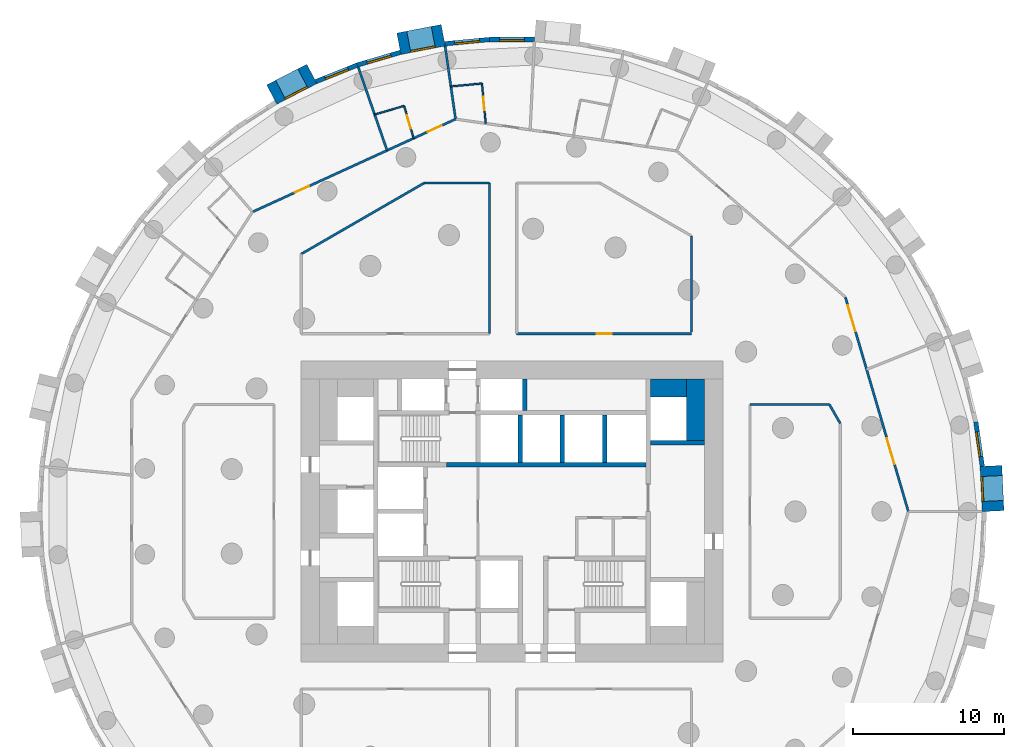
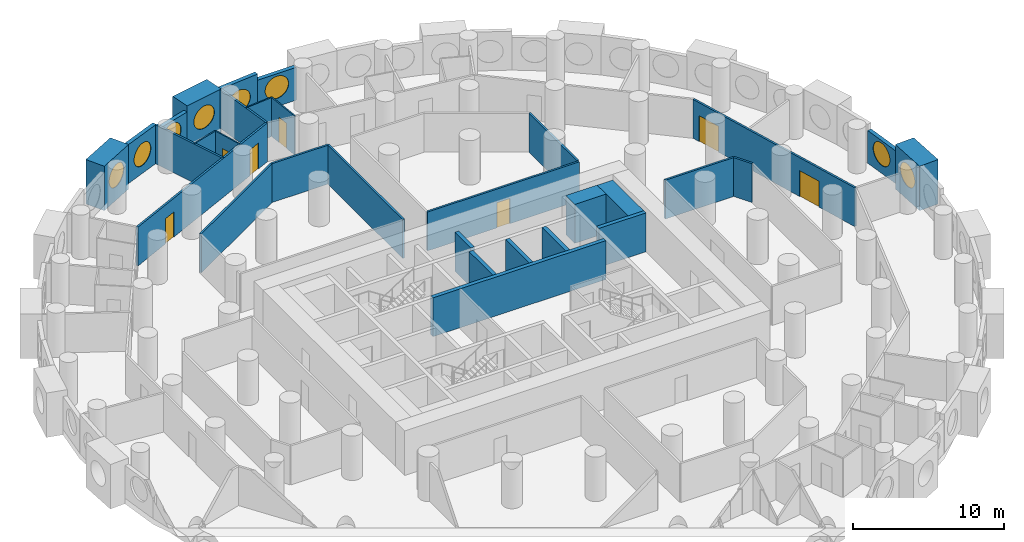
# One storey, part 8 of 11: 31 walls, 8 windows, 7 doors, 15 openings.
"""IFC4 building model written with IfcOpenShell, lengths in metres."""

from ifc_helpers import new_model, si_unit, direction, frame, frame_2d, origin, origin_2d, place, context, subcontext, project, spatial, rectangle, circle, extrude, material, layer, layer_set, type_object, element, fill, save


model = new_model("IFC4")

# Units and contexts
model_context = context("Model", 3, precision=1e-05, world=origin(), true_north=direction((0.0, 1.0)))
body_context = subcontext(model_context, "Body", "Model", "MODEL_VIEW")
ifc_project = project(units=[si_unit("LENGTHUNIT", "METRE"), si_unit("AREAUNIT", "SQUARE_METRE"), si_unit("VOLUMEUNIT", "CUBIC_METRE"), si_unit("PLANEANGLEUNIT", "RADIAN"), si_unit("MASSUNIT", "GRAM", prefix="KILO")], contexts=[model_context])

# Site, building, storey
site_placement = place(None, origin())
site = spatial("IfcSite", under=ifc_project, at=site_placement, CompositionType="ELEMENT")
building_placement = place(site_placement, origin())
building = spatial("IfcBuilding", under=site, at=building_placement, Name="Tracery Tower", CompositionType="ELEMENT")
storey_placement = place(building_placement, frame((0.0, 0.0, 96.60009765625)))
storey = spatial("IfcBuildingStorey", under=building, at=storey_placement, Name="L24", CompositionType="ELEMENT", Elevation=96.60009765625)

# Walls
ifc_material_1 = material(Name="Concrete C60/75", Category="concrete")
ifc_layer_1 = layer(ifc_material_1, 1.199951171875)
ifc_layer_set_1 = layer_set([ifc_layer_1], Name="Core strip wall 1200 C60")
wall_type_1 = type_object("IfcWallType", Name="Core strip wall 1200 C60", PredefinedType="SOLIDWALL", material=ifc_layer_set_1)
wall_1_placement = place(storey_placement, frame((12.199951171875, 4.699951171875, 0.0), z_axis=(0.0, 0.0, 1.0), x_axis=(0.0, 1.0, 0.0)))
element("IfcWall", 1, at=wall_1_placement, inside=storey, type_object=wall_type_1, Name="L24 wing strip +1 4.55", PredefinedType="SOLIDWALL", context=body_context, shape_type="SweptSolid", body=[
    extrude(rectangle(XDim=4.10009765625, YDim=1.199951171875, at=frame_2d((2.050048828125, 0.0))), origin(), (0.0, 0.0, 1.0), 3.14990234375),
])
wall_2_placement = place(storey_placement, frame((9.199951171875, 8.199951171875, 0.0), z_axis=(0.0, 0.0, 1.0), x_axis=(1.0, 0.0, 0.0)))
element("IfcWall", 2, at=wall_2_placement, inside=storey, type_object=wall_type_1, Name="L24 wing corner +1 +8.2", PredefinedType="SOLIDWALL", context=body_context, shape_type="SweptSolid", body=[
    extrude(rectangle(XDim=2.400146484375, YDim=1.199951171875, at=frame_2d((1.2001953125, 0.0))), origin(), (0.0, 0.0, 1.0), 3.14990234375),
])

# Wall, opening, window
ifc_material_2 = material(Name="Precast concrete C50/60", Category="concrete")
ifc_layer_2 = layer(ifc_material_2, 1.449951171875)
ifc_layer_set_2 = layer_set([ifc_layer_2], Name="Deep-set bay unit 3000 x 3600, slab edge 450")
wall_type_2 = type_object("IfcWallType", Name="Deep-set bay unit 3000 x 3600, slab edge 450", PredefinedType="ELEMENTEDWALL", material=ifc_layer_set_2)
wall_3_placement = place(storey_placement, frame((31.94921875, 0.020263671875, -0.4501953125), z_axis=(0.0, 0.0, 1.0), x_axis=(-0.047607680889, 0.998866111509, 0.0)))
wall_3 = element("IfcWall", 3, at=wall_3_placement, inside=storey, type_object=wall_type_2, Name="Deep-set bay unit 1 at L24", PredefinedType="ELEMENTEDWALL", context=body_context, shape_type="SweptSolid", body=[
    extrude(rectangle(XDim=3.0, YDim=1.449951171875, at=frame_2d((1.5, 0.0))), origin(), (0.0, 0.0, 1.0), 3.60009765625),
])
opening_1_placement = place(wall_3_placement, frame((1.5, 0.0, 2.0)))
opening_1 = element("IfcOpeningElement", 4, at=opening_1_placement, cuts=wall_3, Name="Opening WN1", PredefinedType="OPENING", context=body_context, shape_type="SweptSolid", body=[
    extrude(circle(Radius=0.9000244140625, at=origin_2d()), frame((0.0, 0.73486328125, 0.0), z_axis=(0.0, -1.0, 0.0), x_axis=(1.0, 0.0, 0.0)), (0.0, 0.0, 1.0), 1.469970703125),
])
ifc_material_3 = material(Name="Aluminium frame with tinted double glazing", Category="aluminium")
window_type = type_object("IfcWindowType", Name="Round window 1800", PartitioningType="SINGLE_PANEL", PredefinedType="WINDOW", material=ifc_material_3)
window_1_placement = place(opening_1_placement, origin())
window_1 = element("IfcWindow", 5, at=window_1_placement, inside=storey, type_object=window_type, Name="Round window 1 at L24", OverallHeight=1.800048828125, OverallWidth=1.800048828125, PartitioningType="SINGLE_PANEL", PredefinedType="WINDOW", context=body_context, shape_type="SweptSolid", body=[
    extrude(circle(Radius=0.9000244140625, at=origin_2d()), frame((0.0, 0.69482421875, 0.0), z_axis=(0.0, -1.0, 0.0), x_axis=(1.0, 0.0, 0.0)), (0.0, 0.0, 1.0), 0.10009765625),
])
fill(opening_1, window_1)

wall_4_placement = place(storey_placement, frame((-4.56689453125, 31.62109375, -0.4501953125), z_axis=(0.0, 0.0, 1.0), x_axis=(-0.981921602273, -0.189288052949, 0.0)))
wall_4 = element("IfcWall", 6, at=wall_4_placement, inside=storey, type_object=wall_type_2, Name="Deep-set bay unit 19 at L24", PredefinedType="ELEMENTEDWALL", context=body_context, shape_type="SweptSolid", body=[
    extrude(rectangle(XDim=3.0, YDim=1.449951171875, at=frame_2d((1.5, 0.0))), origin(), (0.0, 0.0, 1.0), 3.60009765625),
])
opening_2_placement = place(wall_4_placement, frame((1.5, 0.0, 2.0)))
opening_2 = element("IfcOpeningElement", 7, at=opening_2_placement, cuts=wall_4, Name="Opening WN1", PredefinedType="OPENING", context=body_context, shape_type="SweptSolid", body=[
    extrude(circle(Radius=0.9000244140625, at=origin_2d()), frame((0.0, 0.73486328125, 0.0), z_axis=(0.0, -1.0, 0.0), x_axis=(1.0, 0.0, 0.0)), (0.0, 0.0, 1.0), 1.469970703125),
])
window_2_placement = place(opening_2_placement, origin())
window_2 = element("IfcWindow", 8, at=window_2_placement, inside=storey, type_object=window_type, Name="Round window 19 at L24", OverallHeight=1.800048828125, OverallWidth=1.800048828125, PartitioningType="SINGLE_PANEL", PredefinedType="WINDOW", context=body_context, shape_type="SweptSolid", body=[
    extrude(circle(Radius=0.9000244140625, at=origin_2d()), frame((0.0, 0.69482421875, 0.0), z_axis=(0.0, -1.0, 0.0), x_axis=(1.0, 0.0, 0.0)), (0.0, 0.0, 1.0), 0.10009765625),
])
fill(opening_2, window_2)

wall_5_placement = place(storey_placement, frame((-13.29052734375, 29.053466796875, -0.4501953125), z_axis=(0.0, 0.0, 1.0), x_axis=(-0.888858064689, -0.458182650083, 0.0)))
wall_5 = element("IfcWall", 9, at=wall_5_placement, inside=storey, type_object=wall_type_2, Name="Deep-set bay unit 22 at L24", PredefinedType="ELEMENTEDWALL", context=body_context, shape_type="SweptSolid", body=[
    extrude(rectangle(XDim=3.0, YDim=1.449951171875, at=frame_2d((1.5, 0.0))), origin(), (0.0, 0.0, 1.0), 3.60009765625),
])
opening_3_placement = place(wall_5_placement, frame((1.5, 0.0, 2.0)))
opening_3 = element("IfcOpeningElement", 10, at=opening_3_placement, cuts=wall_5, Name="Opening WN1", PredefinedType="OPENING", context=body_context, shape_type="SweptSolid", body=[
    extrude(circle(Radius=0.9000244140625, at=origin_2d()), frame((0.0, 0.73486328125, 0.0), z_axis=(0.0, -1.0, 0.0), x_axis=(1.0, 0.0, 0.0)), (0.0, 0.0, 1.0), 1.469970703125),
])
window_3_placement = place(opening_3_placement, origin())
window_3 = element("IfcWindow", 11, at=window_3_placement, inside=storey, type_object=window_type, Name="Round window 22 at L24", OverallHeight=1.800048828125, OverallWidth=1.800048828125, PartitioningType="SINGLE_PANEL", PredefinedType="WINDOW", context=body_context, shape_type="SweptSolid", body=[
    extrude(circle(Radius=0.9000244140625, at=origin_2d()), frame((0.0, 0.69482421875, 0.0), z_axis=(0.0, -1.0, 0.0), x_axis=(1.0, 0.0, 0.0)), (0.0, 0.0, 1.0), 0.10009765625),
])
fill(opening_3, window_3)

ifc_material_4 = material(Name="Precast concrete C50/60", Category="concrete")
ifc_layer_3 = layer(ifc_material_4, 0.300048828125)
ifc_layer_set_3 = layer_set([ifc_layer_3], Name="Facade panel 3000 x 2650")
wall_type_3 = type_object("IfcWallType", Name="Facade panel 3000 x 2650", PredefinedType="SOLIDWALL", material=ifc_layer_set_3)
wall_6_placement = place(storey_placement, frame((31.2314453125, 2.98828125, 0.0), z_axis=(0.0, 0.0, 1.0), x_axis=(-0.142315996627, 0.989821275334, 0.0)))
wall_6 = element("IfcWall", 12, at=wall_6_placement, inside=storey, type_object=wall_type_3, Name="Facade panel 2 at L24", PredefinedType="SOLIDWALL", context=body_context, shape_type="SweptSolid", body=[
    extrude(rectangle(XDim=2.979736328125, YDim=0.300048828125, at=frame_2d((1.48974609375, 0.0))), origin(), (0.0, 0.0, 1.0), 2.64990234375),
])
opening_4_placement = place(wall_6_placement, frame((1.48974609375, 0.0, 1.5498046875)))
opening_4 = element("IfcOpeningElement", 13, at=opening_4_placement, cuts=wall_6, Name="Opening WN1", PredefinedType="OPENING", context=body_context, shape_type="SweptSolid", body=[
    extrude(circle(Radius=0.9000244140625, at=origin_2d()), frame((0.0, 0.159912109375, 0.0), z_axis=(0.0, -1.0, 0.0), x_axis=(1.0, 0.0, 0.0)), (0.0, 0.0, 1.0), 0.320068359375),
])
window_4_placement = place(opening_4_placement, origin())
window_4 = element("IfcWindow", 14, at=window_4_placement, inside=storey, type_object=window_type, Name="Round window 2 at L24", OverallHeight=1.800048828125, OverallWidth=1.800048828125, PartitioningType="SINGLE_PANEL", PredefinedType="WINDOW", context=body_context, shape_type="SweptSolid", body=[
    extrude(circle(Radius=0.9000244140625, at=origin_2d()), frame((0.0, 0.1201171875, 0.0), z_axis=(0.0, -1.0, 0.0), x_axis=(1.0, 0.0, 0.0)), (0.0, 0.0, 1.0), 0.10009765625),
])
fill(opening_4, window_4)

wall_7_placement = place(storey_placement, frame((1.48681640625, 31.3388671875, 0.0), z_axis=(0.0, 0.0, 1.0), x_axis=(-1.0, 0.0, 0.0)))
wall_7 = element("IfcWall", 15, at=wall_7_placement, inside=storey, type_object=wall_type_3, Name="Facade panel 17 at L24", PredefinedType="SOLIDWALL", context=body_context, shape_type="SweptSolid", body=[
    extrude(rectangle(XDim=2.979736328125, YDim=0.300048828125, at=frame_2d((1.48974609375, 0.0))), origin(), (0.0, 0.0, 1.0), 2.64990234375),
])
opening_5_placement = place(wall_7_placement, frame((1.48974609375, 0.0, 1.5498046875)))
opening_5 = element("IfcOpeningElement", 16, at=opening_5_placement, cuts=wall_7, Name="Opening WN1", PredefinedType="OPENING", context=body_context, shape_type="SweptSolid", body=[
    extrude(circle(Radius=0.9000244140625, at=origin_2d()), frame((0.0, 0.159912109375, 0.0), z_axis=(0.0, -1.0, 0.0), x_axis=(1.0, 0.0, 0.0)), (0.0, 0.0, 1.0), 0.320068359375),
])
window_5_placement = place(opening_5_placement, origin())
window_5 = element("IfcWindow", 17, at=window_5_placement, inside=storey, type_object=window_type, Name="Round window 17 at L24", OverallHeight=1.800048828125, OverallWidth=1.800048828125, PartitioningType="SINGLE_PANEL", PredefinedType="WINDOW", context=body_context, shape_type="SweptSolid", body=[
    extrude(circle(Radius=0.9000244140625, at=origin_2d()), frame((0.0, 0.1201171875, 0.0), z_axis=(0.0, -1.0, 0.0), x_axis=(1.0, 0.0, 0.0)), (0.0, 0.0, 1.0), 0.10009765625),
])
fill(opening_5, window_5)

wall_8_placement = place(storey_placement, frame((-7.402587890625, 30.48828125, 0.0), z_axis=(0.0, 0.0, 1.0), x_axis=(-0.959501085144, -0.281704930036, 0.0)))
wall_8 = element("IfcWall", 18, at=wall_8_placement, inside=storey, type_object=wall_type_3, Name="Facade panel 20 at L24", PredefinedType="SOLIDWALL", context=body_context, shape_type="SweptSolid", body=[
    extrude(rectangle(XDim=2.9794921875, YDim=0.300048828125, at=frame_2d((1.48974609375, 0.0))), origin(), (0.0, 0.0, 1.0), 2.64990234375),
])
opening_6_placement = place(wall_8_placement, frame((1.48974609375, 0.0, 1.5498046875)))
opening_6 = element("IfcOpeningElement", 19, at=opening_6_placement, cuts=wall_8, Name="Opening WN1", PredefinedType="OPENING", context=body_context, shape_type="SweptSolid", body=[
    extrude(circle(Radius=0.9000244140625, at=origin_2d()), frame((0.0, 0.159912109375, 0.0), z_axis=(0.0, -1.0, 0.0), x_axis=(1.0, 0.0, 0.0)), (0.0, 0.0, 1.0), 0.320068359375),
])
window_6_placement = place(opening_6_placement, origin())
window_6 = element("IfcWindow", 20, at=window_6_placement, inside=storey, type_object=window_type, Name="Round window 20 at L24", OverallHeight=1.800048828125, OverallWidth=1.800048828125, PartitioningType="SINGLE_PANEL", PredefinedType="WINDOW", context=body_context, shape_type="SweptSolid", body=[
    extrude(circle(Radius=0.9000244140625, at=origin_2d()), frame((0.0, 0.1201171875, 0.0), z_axis=(0.0, -1.0, 0.0), x_axis=(1.0, 0.0, 0.0)), (0.0, 0.0, 1.0), 0.10009765625),
])
fill(opening_6, window_6)

ifc_material_5 = material(Name="Precast concrete C50/60", Category="concrete")
ifc_layer_4 = layer(ifc_material_5, 0.300048828125)
ifc_layer_set_4 = layer_set([ifc_layer_4], Name="Facade panel 3000 x 3150")
wall_type_4 = type_object("IfcWallType", Name="Facade panel 3000 x 3150", PredefinedType="SOLIDWALL", material=ifc_layer_set_4)
wall_9_placement = place(storey_placement, frame((-1.492919921875, 31.3388671875, 0.0), z_axis=(0.0, 0.0, 1.0), x_axis=(-0.995472611385, -0.095048829468, 0.0)))
wall_9 = element("IfcWall", 21, at=wall_9_placement, inside=storey, type_object=wall_type_4, Name="Facade panel 18 at L24", PredefinedType="SOLIDWALL", context=body_context, shape_type="SweptSolid", body=[
    extrude(rectangle(XDim=2.9794921875, YDim=0.300048828125, at=frame_2d((1.48974609375, 0.0))), origin(), (0.0, 0.0, 1.0), 3.14990234375),
])
opening_7_placement = place(wall_9_placement, frame((1.48974609375, 0.0, 1.5498046875)))
opening_7 = element("IfcOpeningElement", 22, at=opening_7_placement, cuts=wall_9, Name="Opening WN1", PredefinedType="OPENING", context=body_context, shape_type="SweptSolid", body=[
    extrude(circle(Radius=0.9000244140625, at=origin_2d()), frame((0.0, 0.159912109375, 0.0), z_axis=(0.0, -1.0, 0.0), x_axis=(1.0, 0.0, 0.0)), (0.0, 0.0, 1.0), 0.320068359375),
])
window_7_placement = place(opening_7_placement, origin())
window_7 = element("IfcWindow", 23, at=window_7_placement, inside=storey, type_object=window_type, Name="Round window 18 at L24", OverallHeight=1.800048828125, OverallWidth=1.800048828125, PartitioningType="SINGLE_PANEL", PredefinedType="WINDOW", context=body_context, shape_type="SweptSolid", body=[
    extrude(circle(Radius=0.9000244140625, at=origin_2d()), frame((0.0, 0.1201171875, 0.0), z_axis=(0.0, -1.0, 0.0), x_axis=(1.0, 0.0, 0.0)), (0.0, 0.0, 1.0), 0.10009765625),
])
fill(opening_7, window_7)

wall_10_placement = place(storey_placement, frame((-10.261474609375, 29.64892578125, 0.0), z_axis=(0.0, 0.0, 1.0), x_axis=(-0.928374947, -0.371644935098, 0.0)))
wall_10 = element("IfcWall", 24, at=wall_10_placement, inside=storey, type_object=wall_type_4, Name="Facade panel 21 at L24", PredefinedType="SOLIDWALL", context=body_context, shape_type="SweptSolid", body=[
    extrude(rectangle(XDim=2.979736328125, YDim=0.300048828125, at=frame_2d((1.48974609375, 0.0))), origin(), (0.0, 0.0, 1.0), 3.14990234375),
])
opening_8_placement = place(wall_10_placement, frame((1.48974609375, 0.0, 1.5498046875)))
opening_8 = element("IfcOpeningElement", 25, at=opening_8_placement, cuts=wall_10, Name="Opening WN1", PredefinedType="OPENING", context=body_context, shape_type="SweptSolid", body=[
    extrude(circle(Radius=0.9000244140625, at=origin_2d()), frame((0.0, 0.159912109375, 0.0), z_axis=(0.0, -1.0, 0.0), x_axis=(1.0, 0.0, 0.0)), (0.0, 0.0, 1.0), 0.320068359375),
])
window_8_placement = place(opening_8_placement, origin())
window_8 = element("IfcWindow", 26, at=window_8_placement, inside=storey, type_object=window_type, Name="Round window 21 at L24", OverallHeight=1.800048828125, OverallWidth=1.800048828125, PartitioningType="SINGLE_PANEL", PredefinedType="WINDOW", context=body_context, shape_type="SweptSolid", body=[
    extrude(circle(Radius=0.9000244140625, at=origin_2d()), frame((0.0, 0.1201171875, 0.0), z_axis=(0.0, -1.0, 0.0), x_axis=(1.0, 0.0, 0.0)), (0.0, 0.0, 1.0), 0.10009765625),
])
fill(opening_8, window_8)

# Wall, opening, door
ifc_material_6 = material(Name="Plasterboard on steel studs", Category="steel")
ifc_layer_5 = layer(ifc_material_6, 0.10009765625)
ifc_layer_set_5 = layer_set([ifc_layer_5], Name="Partition 100 wet wall")
wall_type_5 = type_object("IfcWallType", Name="Partition 100 wet wall", PredefinedType="PARTITIONING", material=ifc_layer_set_5)
wall_11_placement = place(storey_placement, frame((-1.99609375, 28.41796875, 0.0), z_axis=(0.0, 0.0, 1.0), x_axis=(0.094925726797, -0.995484357683, 0.0)))
wall_11 = element("IfcWall", 27, at=wall_11_placement, inside=storey, type_object=wall_type_5, Name="Wet wall RA7-056", PredefinedType="PARTITIONING", context=body_context, shape_type="SweptSolid", body=[
    extrude(rectangle(XDim=2.6669921875, YDim=0.10009765625, at=frame_2d((1.33349609375, 0.0))), origin(), (0.0, 0.0, 1.0), 3.14990234375),
])
opening_9_placement = place(wall_11_placement, frame((0.883056640625, 0.0, 0.0)))
opening_9 = element("IfcOpeningElement", 28, at=opening_9_placement, cuts=wall_11, Name="Opening RA7-14", PredefinedType="OPENING", context=body_context, shape_type="SweptSolid", body=[
    extrude(rectangle(XDim=0.89990234375, YDim=2.0400390625, at=frame_2d((0.449951171875, 1.02001953125))), frame((0.0, 0.050048828125, 0.0), z_axis=(0.0, -1.0, 0.0), x_axis=(1.0, 0.0, 0.0)), (0.0, 0.0, 1.0), 0.10009765625),
])
ifc_material_7 = material(Name="Timber door leaf", Category="wood")
door_type_1 = type_object("IfcDoorType", Name="Door en-suite 900", OperationType="NOTDEFINED", PredefinedType="DOOR", material=ifc_material_7)
door_1_placement = place(opening_9_placement, origin())
door_1 = element("IfcDoor", 29, at=door_1_placement, inside=storey, type_object=door_type_1, Name="En-suite door RA7-14", OperationType="SINGLE_SWING_RIGHT", OverallHeight=2.0400390625, OverallWidth=0.89990234375, PredefinedType="DOOR", context=body_context, shape_type="SweptSolid", body=[
    extrude(rectangle(XDim=0.89990234375, YDim=2.0400390625, at=frame_2d((0.449951171875, 1.02001953125))), frame((0.0, 0.02490234375, 0.0), z_axis=(0.0, -1.0, 0.0), x_axis=(1.0, 0.0, 0.0)), (0.0, 0.0, 1.0), 0.050048828125),
])
fill(opening_9, door_1)

# Wall
wall_12_placement = place(storey_placement, frame((-4.05810546875, 28.220947265625, 0.0), z_axis=(0.0, 0.0, 1.0), x_axis=(0.995466291052, 0.095115000814, 0.0)))
element("IfcWall", 30, at=wall_12_placement, inside=storey, type_object=wall_type_5, Name="Wet wall RA7-057", PredefinedType="PARTITIONING", context=body_context, shape_type="SweptSolid", body=[
    extrude(rectangle(XDim=2.0712890625, YDim=0.10009765625, at=frame_2d((1.03564453125, 0.0))), origin(), (0.0, 0.0, 1.0), 3.14990234375),
])

# Wall, opening, door
wall_13_placement = place(storey_placement, frame((-7.1630859375, 26.929931640625, 0.0), z_axis=(0.0, 0.0, 1.0), x_axis=(0.281948165188, -0.959429638977, 0.0)))
wall_13 = element("IfcWall", 31, at=wall_13_placement, inside=storey, type_object=wall_type_5, Name="Wet wall RA7-059", PredefinedType="PARTITIONING", context=body_context, shape_type="SweptSolid", body=[
    extrude(rectangle(XDim=2.241943359375, YDim=0.10009765625, at=frame_2d((1.12109375, 0.0))), origin(), (0.0, 0.0, 1.0), 3.14990234375),
])
opening_10_placement = place(wall_13_placement, frame((0.6708984375, 0.0, 0.0)))
opening_10 = element("IfcOpeningElement", 32, at=opening_10_placement, cuts=wall_13, Name="Opening RA7-16", PredefinedType="OPENING", context=body_context, shape_type="SweptSolid", body=[
    extrude(rectangle(XDim=0.89990234375, YDim=2.0400390625, at=frame_2d((0.449951171875, 1.02001953125))), frame((0.0, 0.050048828125, 0.0), z_axis=(0.0, -1.0, 0.0), x_axis=(1.0, 0.0, 0.0)), (0.0, 0.0, 1.0), 0.10009765625),
])
door_2_placement = place(opening_10_placement, origin())
door_2 = element("IfcDoor", 33, at=door_2_placement, inside=storey, type_object=door_type_1, Name="En-suite door RA7-16", OperationType="SINGLE_SWING_RIGHT", OverallHeight=2.0400390625, OverallWidth=0.89990234375, PredefinedType="DOOR", context=body_context, shape_type="SweptSolid", body=[
    extrude(rectangle(XDim=0.89990234375, YDim=2.0400390625, at=frame_2d((0.449951171875, 1.02001953125))), frame((0.0, 0.02490234375, 0.0), z_axis=(0.0, -1.0, 0.0), x_axis=(1.0, 0.0, 0.0)), (0.0, 0.0, 1.0), 0.050048828125),
])
fill(opening_10, door_2)

# Walls
wall_14_placement = place(storey_placement, frame((-9.12109375, 26.35498046875, 0.0), z_axis=(0.0, 0.0, 1.0), x_axis=(0.95948923736, 0.281745281045, 0.0)))
element("IfcWall", 34, at=wall_14_placement, inside=storey, type_object=wall_type_5, Name="Wet wall RA7-060", PredefinedType="PARTITIONING", context=body_context, shape_type="SweptSolid", body=[
    extrude(rectangle(XDim=2.040771484375, YDim=0.10009765625, at=frame_2d((1.0205078125, 0.0))), origin(), (0.0, 0.0, 1.0), 3.14990234375),
])
ifc_material_8 = material(Name="Plasterboard on steel studs", Category="steel")
ifc_layer_6 = layer(ifc_material_8, 0.14990234375)
ifc_layer_set_6 = layer_set([ifc_layer_6], Name="Partition 150 acoustic unit wall")
wall_type_6 = type_object("IfcWallType", Name="Partition 150 acoustic unit wall", PredefinedType="PARTITIONING", material=ifc_layer_set_6)
wall_15_placement = place(storey_placement, frame((-4.444091796875, 30.906005859375, 0.0), z_axis=(0.0, 0.0, 1.0), x_axis=(0.142306296561, -0.989822669956, 0.0)))
element("IfcWall", 35, at=wall_15_placement, inside=storey, type_object=wall_type_6, Name="Unit wall RA7-058", PredefinedType="PARTITIONING", context=body_context, shape_type="SweptSolid", body=[
    extrude(rectangle(XDim=4.90478515625, YDim=0.14990234375, at=frame_2d((2.452392578125, 0.0))), origin(), (0.0, 0.0, 1.0), 3.14990234375),
])
wall_16_placement = place(storey_placement, frame((-10.2119140625, 29.507080078125, 0.0), z_axis=(0.0, 0.0, 1.0), x_axis=(0.327061884856, -0.945002922469, 0.0)))
element("IfcWall", 36, at=wall_16_placement, inside=storey, type_object=wall_type_6, Name="Unit wall RA7-061", PredefinedType="PARTITIONING", context=body_context, shape_type="SweptSolid", body=[
    extrude(rectangle(XDim=5.856689453125, YDim=0.14990234375, at=frame_2d((2.92822265625, 0.0))), origin(), (0.0, 0.0, 1.0), 3.14990234375),
])

# Wall, opening, door
ifc_material_9 = material(Name="Plasterboard on steel studs", Category="steel")
ifc_layer_7 = layer(ifc_material_9, 0.14990234375)
ifc_layer_set_7 = layer_set([ifc_layer_7], Name="Partition 150 corridor wall")
wall_type_7 = type_object("IfcWallType", Name="Partition 150 corridor wall", PredefinedType="PARTITIONING", material=ifc_layer_set_7)
wall_17_placement = place(storey_placement, frame((0.305908203125, 11.800048828125, 0.0), z_axis=(0.0, 0.0, 1.0), x_axis=(1.0, 0.0, 0.0)))
wall_17 = element("IfcWall", 37, at=wall_17_placement, inside=storey, type_object=wall_type_7, Name="Corridor wall RA7-002", PredefinedType="PARTITIONING", context=body_context, shape_type="SweptSolid", body=[
    extrude(rectangle(XDim=11.6181640625, YDim=0.14990234375, at=frame_2d((5.80908203125, 0.0))), origin(), (0.0, 0.0, 1.0), 3.14990234375),
])
opening_11_placement = place(wall_17_placement, frame((5.30908203125, 0.0, 0.0)))
opening_11 = element("IfcOpeningElement", 38, at=opening_11_placement, cuts=wall_17, Name="Opening RA7-02", PredefinedType="OPENING", context=body_context, shape_type="SweptSolid", body=[
    extrude(rectangle(XDim=1.0, YDim=2.0400390625, at=frame_2d((0.5, 1.02001953125))), frame((0.0, 0.074951171875, 0.0), z_axis=(0.0, -1.0, 0.0), x_axis=(1.0, 0.0, 0.0)), (0.0, 0.0, 1.0), 0.14990234375),
])
ifc_material_10 = material(Name="Timber door leaf", Category="wood")
door_type_2 = type_object("IfcDoorType", Name="Door communal room 1000", OperationType="NOTDEFINED", PredefinedType="DOOR", material=ifc_material_10)
door_3_placement = place(opening_11_placement, origin())
door_3 = element("IfcDoor", 39, at=door_3_placement, inside=storey, type_object=door_type_2, Name="Communal room door RA7-02", OperationType="SINGLE_SWING_RIGHT", OverallHeight=2.0400390625, OverallWidth=1.0, PredefinedType="DOOR", context=body_context, shape_type="SweptSolid", body=[
    extrude(rectangle(XDim=1.0, YDim=2.0400390625, at=frame_2d((0.5, 1.02001953125))), frame((0.0, 0.02490234375, 0.0), z_axis=(0.0, -1.0, 0.0), x_axis=(1.0, 0.0, 0.0)), (0.0, 0.0, 1.0), 0.050048828125),
])
fill(opening_11, door_3)

# Walls
wall_18_placement = place(storey_placement, frame((21.075927734375, 7.10009765625, 0.0), z_axis=(0.0, 0.0, 1.0), x_axis=(0.499863102386, -0.866104427234, 0.0)))
element("IfcWall", 40, at=wall_18_placement, inside=storey, type_object=wall_type_7, Name="Corridor wall RA7-010", PredefinedType="PARTITIONING", context=body_context, shape_type="SweptSolid", body=[
    extrude(rectangle(XDim=1.45263671875, YDim=0.14990234375, at=frame_2d((0.726318359375, 0.0))), origin(), (0.0, 0.0, 1.0), 3.14990234375),
])
wall_19_placement = place(storey_placement, frame((15.800048828125, 7.10009765625, 0.0), z_axis=(0.0, 0.0, 1.0), x_axis=(1.0, 0.0, 0.0)))
element("IfcWall", 41, at=wall_19_placement, inside=storey, type_object=wall_type_7, Name="Corridor wall RA7-011", PredefinedType="PARTITIONING", context=body_context, shape_type="SweptSolid", body=[
    extrude(rectangle(XDim=5.27587890625, YDim=0.14990234375, at=frame_2d((2.637939453125, 0.0))), origin(), (0.0, 0.0, 1.0), 3.14990234375),
])

# Wall, openings, doors
wall_20_placement = place(storey_placement, frame((22.140380859375, 14.228759765625, 0.0), z_axis=(0.0, 0.0, 1.0), x_axis=(0.281780364869, -0.959478934617, 0.0)))
wall_20 = element("IfcWall", 42, at=wall_20_placement, inside=storey, type_object=wall_type_7, Name="Corridor wall RA7-012", PredefinedType="PARTITIONING", context=body_context, shape_type="SweptSolid", body=[
    extrude(rectangle(XDim=14.82958984375, YDim=0.14990234375, at=frame_2d((7.414794921875, 0.0))), origin(), (0.0, 0.0, 1.0), 3.14990234375),
])
opening_12_placement = place(wall_20_placement, frame((9.764404296875, 0.0, 0.0)))
opening_12 = element("IfcOpeningElement", 43, at=opening_12_placement, cuts=wall_20, Name="Opening RA7-07", PredefinedType="OPENING", context=body_context, shape_type="SweptSolid", body=[
    extrude(rectangle(XDim=1.800048828125, YDim=2.10009765625, at=frame_2d((0.89990234375, 1.050048828125))), frame((0.0, 0.074951171875, 0.0), z_axis=(0.0, -1.0, 0.0), x_axis=(1.0, 0.0, 0.0)), (0.0, 0.0, 1.0), 0.14990234375),
])
opening_13_placement = place(wall_20_placement, frame((0.553955078125, 0.0, 0.0)))
opening_13 = element("IfcOpeningElement", 44, at=opening_13_placement, cuts=wall_20, Name="Opening RA7-08", PredefinedType="OPENING", context=body_context, shape_type="SweptSolid", body=[
    extrude(rectangle(XDim=1.800048828125, YDim=2.10009765625, at=frame_2d((0.89990234375, 1.050048828125))), frame((0.0, 0.074951171875, 0.0), z_axis=(0.0, -1.0, 0.0), x_axis=(1.0, 0.0, 0.0)), (0.0, 0.0, 1.0), 0.14990234375),
])
ifc_material_11 = material(Name="Timber door leaf", Category="wood")
door_type_3 = type_object("IfcDoorType", Name="Door double lounge 1800", OperationType="NOTDEFINED", PredefinedType="DOOR", material=ifc_material_11)
door_4_placement = place(opening_12_placement, origin())
door_4 = element("IfcDoor", 45, at=door_4_placement, inside=storey, type_object=door_type_3, Name="Double lounge door RA7-07", OperationType="DOUBLE_DOOR_SINGLE_SWING", OverallHeight=2.10009765625, OverallWidth=1.800048828125, PredefinedType="DOOR", context=body_context, shape_type="SweptSolid", body=[
    extrude(rectangle(XDim=1.800048828125, YDim=2.10009765625, at=frame_2d((0.89990234375, 1.050048828125))), frame((0.0, 0.02490234375, 0.0), z_axis=(0.0, -1.0, 0.0), x_axis=(1.0, 0.0, 0.0)), (0.0, 0.0, 1.0), 0.050048828125),
])
fill(opening_12, door_4)
door_5_placement = place(opening_13_placement, origin())
door_5 = element("IfcDoor", 46, at=door_5_placement, inside=storey, type_object=door_type_3, Name="Double lounge door RA7-08", OperationType="DOUBLE_DOOR_SINGLE_SWING", OverallHeight=2.10009765625, OverallWidth=1.800048828125, PredefinedType="DOOR", context=body_context, shape_type="SweptSolid", body=[
    extrude(rectangle(XDim=1.800048828125, YDim=2.10009765625, at=frame_2d((0.89990234375, 1.050048828125))), frame((0.0, 0.02490234375, 0.0), z_axis=(0.0, -1.0, 0.0), x_axis=(1.0, 0.0, 0.0)), (0.0, 0.0, 1.0), 0.050048828125),
])
fill(opening_13, door_5)

# Walls
wall_21_placement = place(storey_placement, frame((-1.489990234375, 11.800048828125, 0.0), z_axis=(0.0, 0.0, 1.0), x_axis=(0.0, 1.0, 0.0)))
element("IfcWall", 47, at=wall_21_placement, inside=storey, type_object=wall_type_7, Name="Corridor wall RA7-016", PredefinedType="PARTITIONING", context=body_context, shape_type="SweptSolid", body=[
    extrude(rectangle(XDim=10.001953125, YDim=0.14990234375, at=frame_2d((5.0009765625, 0.0))), origin(), (0.0, 0.0, 1.0), 3.14990234375),
])
wall_22_placement = place(storey_placement, frame((-5.842041015625, 21.802001953125, 0.0), z_axis=(0.0, 0.0, 1.0), x_axis=(1.0, 0.0, 0.0)))
element("IfcWall", 48, at=wall_22_placement, inside=storey, type_object=wall_type_7, Name="Corridor wall RA7-017", PredefinedType="PARTITIONING", context=body_context, shape_type="SweptSolid", body=[
    extrude(rectangle(XDim=4.35205078125, YDim=0.14990234375, at=frame_2d((2.176025390625, 0.0))), origin(), (0.0, 0.0, 1.0), 3.14990234375),
])
wall_23_placement = place(storey_placement, frame((-14.0, 17.092041015625, 0.0), z_axis=(0.0, 0.0, 1.0), x_axis=(0.86602719091, 0.499996904595, 0.0)))
element("IfcWall", 49, at=wall_23_placement, inside=storey, type_object=wall_type_7, Name="Corridor wall RA7-018", PredefinedType="PARTITIONING", context=body_context, shape_type="SweptSolid", body=[
    extrude(rectangle(XDim=9.419921875, YDim=0.14990234375, at=frame_2d((4.7099609375, 0.0))), origin(), (0.0, 0.0, 1.0), 3.14990234375),
])
wall_24_placement = place(storey_placement, frame((11.919921875, 11.919921875, 0.0), z_axis=(0.0, 0.0, 1.0), x_axis=(0.0, 1.0, 0.0)))
element("IfcWall", 50, at=wall_24_placement, inside=storey, type_object=wall_type_7, Name="Corridor wall RA7-020", PredefinedType="PARTITIONING", context=body_context, shape_type="SweptSolid", body=[
    extrude(rectangle(XDim=6.373046875, YDim=0.14990234375, at=frame_2d((3.1865234375, 0.0))), origin(), (0.0, 0.0, 1.0), 3.14990234375),
])

# Wall, openings, doors
wall_25_placement = place(storey_placement, frame((-17.23388671875, 19.8876953125, 0.0), z_axis=(0.0, 0.0, 1.0), x_axis=(0.90953867323, 0.415619299238, 0.0)))
wall_25 = element("IfcWall", 51, at=wall_25_placement, inside=storey, type_object=wall_type_7, Name="Corridor wall RA7-025", PredefinedType="PARTITIONING", context=body_context, shape_type="SweptSolid", body=[
    extrude(rectangle(XDim=14.829345703125, YDim=0.14990234375, at=frame_2d((7.41455078125, 0.0))), origin(), (0.0, 0.0, 1.0), 3.14990234375),
])
opening_14_placement = place(wall_25_placement, frame((12.797119140625, 0.0, 0.0)))
opening_14 = element("IfcOpeningElement", 52, at=opening_14_placement, cuts=wall_25, Name="Opening RA7-17", PredefinedType="OPENING", context=body_context, shape_type="SweptSolid", body=[
    extrude(rectangle(XDim=1.0, YDim=2.10009765625, at=frame_2d((0.5, 1.050048828125))), frame((0.0, 0.074951171875, 0.0), z_axis=(0.0, -1.0, 0.0), x_axis=(1.0, 0.0, 0.0)), (0.0, 0.0, 1.0), 0.14990234375),
])
opening_15_placement = place(wall_25_placement, frame((3.114990234375, 0.0, 0.0)))
opening_15 = element("IfcOpeningElement", 53, at=opening_15_placement, cuts=wall_25, Name="Opening RA7-18", PredefinedType="OPENING", context=body_context, shape_type="SweptSolid", body=[
    extrude(rectangle(XDim=1.0, YDim=2.0400390625, at=frame_2d((0.5, 1.02001953125))), frame((0.0, 0.074951171875, 0.0), z_axis=(0.0, -1.0, 0.0), x_axis=(1.0, 0.0, 0.0)), (0.0, 0.0, 1.0), 0.14990234375),
])
door_6_placement = place(opening_15_placement, origin())
door_6 = element("IfcDoor", 54, at=door_6_placement, inside=storey, type_object=door_type_2, Name="Communal room door RA7-18", OperationType="SINGLE_SWING_LEFT", OverallHeight=2.0400390625, OverallWidth=1.0, PredefinedType="DOOR", context=body_context, shape_type="SweptSolid", body=[
    extrude(rectangle(XDim=1.0, YDim=2.0400390625, at=frame_2d((0.5, 1.02001953125))), frame((0.0, 0.02490234375, 0.0), z_axis=(0.0, -1.0, 0.0), x_axis=(1.0, 0.0, 0.0)), (0.0, 0.0, 1.0), 0.050048828125),
])
fill(opening_15, door_6)
ifc_material_12 = material(Name="Timber door leaf", Category="wood")
door_type_4 = type_object("IfcDoorType", Name="Door unit entrance 1000", OperationType="NOTDEFINED", PredefinedType="DOOR", material=ifc_material_12)
door_7_placement = place(opening_14_placement, origin())
door_7 = element("IfcDoor", 55, at=door_7_placement, inside=storey, type_object=door_type_4, Name="Unit entrance door RA7-17", OperationType="SINGLE_SWING_RIGHT", OverallHeight=2.10009765625, OverallWidth=1.0, PredefinedType="DOOR", context=body_context, shape_type="SweptSolid", body=[
    extrude(rectangle(XDim=1.0, YDim=2.10009765625, at=frame_2d((0.5, 1.050048828125))), frame((0.0, 0.02490234375, 0.0), z_axis=(0.0, -1.0, 0.0), x_axis=(1.0, 0.0, 0.0)), (0.0, 0.0, 1.0), 0.050048828125),
])
fill(opening_14, door_7)

# Walls
ifc_material_13 = material(Name="Concrete C60/75", Category="concrete")
ifc_layer_8 = layer(ifc_material_13, 0.300048828125)
ifc_layer_set_8 = layer_set([ifc_layer_8], Name="Shaft wall 300 C60")
wall_type_8 = type_object("IfcWallType", Name="Shaft wall 300 C60", PredefinedType="SOLIDWALL", material=ifc_layer_set_8)
for number, where, z_axis, x_axis, name in (
    (56, (0.550048828125, 3.25, 0.0), (0.0, 0.0, 1.0), (0.0, 1.0, 0.0), "L24 HR sep 1"),
    (57, (3.35009765625, 3.25, 0.0), (0.0, 0.0, 1.0), (0.0, 1.0, 0.0), "L24 HR sep 2"),
    (58, (6.14990234375, 3.25, 0.0), (0.0, 0.0, 1.0), (0.0, 1.0, 0.0), "L24 HR sep 3"),
):
    element("IfcWall", number, at=place(storey_placement, frame(where, z_axis=z_axis, x_axis=x_axis)), inside=storey, type_object=wall_type_8, Name=name, PredefinedType="SOLIDWALL", context=body_context, shape_type="SweptSolid", body=[
        extrude(rectangle(XDim=3.14990234375, YDim=0.300048828125, at=frame_2d((1.574951171875, 0.0))), origin(), (0.0, 0.0, 1.0), 3.14990234375),
    ])
wall_26_placement = place(storey_placement, frame((0.85009765625, 6.699951171875, 0.0), z_axis=(0.0, 0.0, 1.0), x_axis=(0.0, 1.0, 0.0)))
element("IfcWall", 59, at=wall_26_placement, inside=storey, type_object=wall_type_8, Name="L24 LR sep 0.85", PredefinedType="SOLIDWALL", context=body_context, shape_type="SweptSolid", body=[
    extrude(rectangle(XDim=2.10009765625, YDim=0.300048828125, at=frame_2d((1.050048828125, 0.0))), origin(), (0.0, 0.0, 1.0), 3.14990234375),
])
wall_27_placement = place(storey_placement, frame((9.199951171875, 4.550048828125, 0.0), z_axis=(0.0, 0.0, 1.0), x_axis=(1.0, 0.0, 0.0)))
element("IfcWall", 60, at=wall_27_placement, inside=storey, type_object=wall_type_8, Name="L24 wing shaft wall +1 +4.55", PredefinedType="SOLIDWALL", context=body_context, shape_type="SweptSolid", body=[
    extrude(rectangle(XDim=3.60009765625, YDim=0.300048828125, at=frame_2d((1.800048828125, 0.0))), origin(), (0.0, 0.0, 1.0), 3.14990234375),
])
ifc_material_14 = material(Name="Concrete C60/75", Category="concrete")
ifc_layer_9 = layer(ifc_material_14, 0.300048828125)
ifc_layer_set_9 = layer_set([ifc_layer_9], Name="Stair wall 300 C60")
wall_type_9 = type_object("IfcWallType", Name="Stair wall 300 C60", PredefinedType="SOLIDWALL", material=ifc_layer_set_9)
wall_28_placement = place(storey_placement, frame((-4.35009765625, 3.10009765625, 0.0), z_axis=(0.0, 0.0, 1.0), x_axis=(1.0, 0.0, 0.0)))
element("IfcWall", 61, at=wall_28_placement, inside=storey, type_object=wall_type_9, Name="L24 row N", PredefinedType="SOLIDWALL", context=body_context, shape_type="SweptSolid", body=[
    extrude(rectangle(XDim=13.25, YDim=0.300048828125, at=frame_2d((6.625, 0.0))), origin(), (0.0, 0.0, 1.0), 3.14990234375),
])

save(model, "model.ifc")
